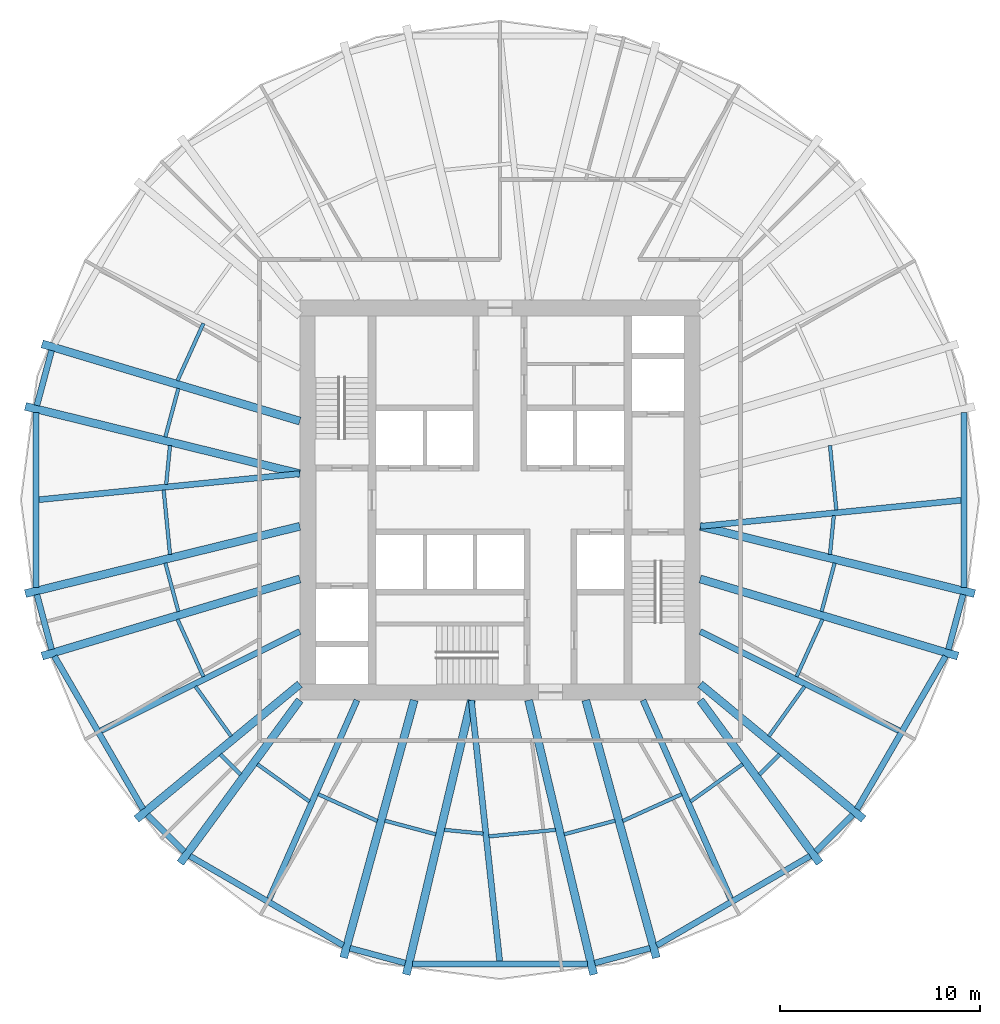
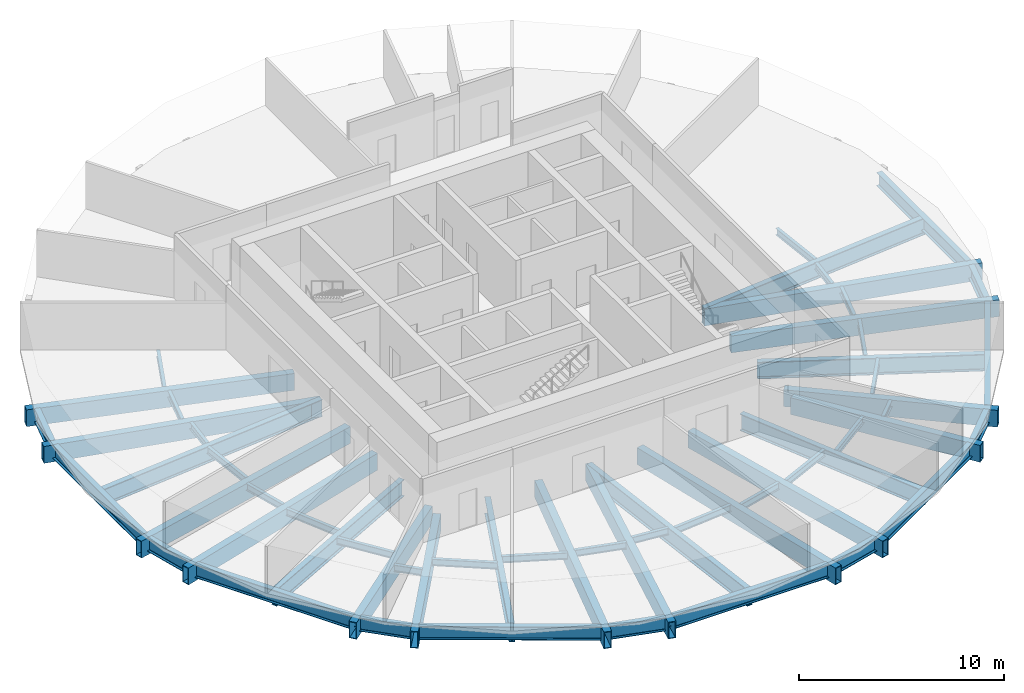
# One storey, part 1 of 6: 57 beams.
"""IFC4 building model written with IfcOpenShell, lengths in metres."""

from ifc_helpers import new_model, si_unit, direction, frame, origin, origin_2d, place, context, subcontext, project, spatial, hollow_rectangle, i_section, extrude, material, material_profile, profile_set, type_object, element, save


model = new_model("IFC4")

# Units and contexts
model_context = context("Model", 3, precision=1e-05, world=origin(), true_north=direction((0.0, 1.0)))
body_context = subcontext(model_context, "Body", "Model", "MODEL_VIEW")
ifc_project = project(units=[si_unit("LENGTHUNIT", "METRE"), si_unit("AREAUNIT", "SQUARE_METRE"), si_unit("VOLUMEUNIT", "CUBIC_METRE"), si_unit("PLANEANGLEUNIT", "RADIAN"), si_unit("MASSUNIT", "GRAM", prefix="KILO")], contexts=[model_context])

# Site, building, storey
site_placement = place(None, origin())
site = spatial("IfcSite", under=ifc_project, at=site_placement, CompositionType="ELEMENT")
building_placement = place(site_placement, origin())
building = spatial("IfcBuilding", under=site, at=building_placement, Name="Golbaran Civic Tower", CompositionType="ELEMENT")
storey_placement = place(building_placement, frame((0.0, 0.0, 73.0)))
storey = spatial("IfcBuildingStorey", under=building, at=storey_placement, Name="L17", CompositionType="ELEMENT", Elevation=73.0)

# Beams
ifc_material = material(Name="Steel S355", Category="steel")
ifc_material_profile_1 = material_profile(ifc_material, i_section(OverallWidth=0.300048828125, OverallDepth=0.800048828125, WebThickness=0.017578125, FlangeThickness=0.032958984375, FilletRadius=0.030029296875, at=origin_2d()), Name="HEB 800")
ifc_profile_set_1 = profile_set([ifc_material_profile_1], Name="Steel S355")
beam_type_1 = type_object("IfcBeamType", Name="EDGE BEAM HEB 800", PredefinedType="BEAM", material=ifc_profile_set_1)
beam_1_placement = place(storey_placement, frame((-22.393798828125, 7.466796875, -0.60009765625), z_axis=(-0.258550025591, -0.965997869701, 0.0), x_axis=(0.965997869701, -0.258550025591, 0.0)))
element("IfcBeam", 1, at=beam_1_placement, inside=storey, type_object=beam_type_1, Name="Edge beam 161.23 L17", PredefinedType="BEAM", context=body_context, shape_type="SweptSolid", body=[
    extrude(i_section(OverallWidth=0.300048828125, OverallDepth=0.800048828125, WebThickness=0.017578125, FlangeThickness=0.032958984375, FilletRadius=0.030029296875, at=origin_2d()), origin(), (0.0, 0.0, 1.0), 2.84228515625),
])
beam_2_placement = place(storey_placement, frame((-23.17529296875, 4.36181640625, -0.60009765625), z_axis=(0.0, -1.0, 0.0), x_axis=(1.0, 0.0, 0.0)))
element("IfcBeam", 2, at=beam_2_placement, inside=storey, type_object=beam_type_1, Name="Edge beam 168.77 L17", PredefinedType="BEAM", context=body_context, shape_type="SweptSolid", body=[
    extrude(i_section(OverallWidth=0.300048828125, OverallDepth=0.800048828125, WebThickness=0.017578125, FlangeThickness=0.032958984375, FilletRadius=0.030029296875, at=origin_2d()), origin(), (0.0, 0.0, 1.0), 8.7236328125),
])
beam_3_placement = place(storey_placement, frame((-23.128662109375, -4.72119140625, -0.60009765625), z_axis=(0.258550025591, -0.965997869701, 0.0), x_axis=(0.965997869701, 0.258550025591, 0.0)))
element("IfcBeam", 3, at=beam_3_placement, inside=storey, type_object=beam_type_1, Name="Edge beam 191.23 L17", PredefinedType="BEAM", context=body_context, shape_type="SweptSolid", body=[
    extrude(i_section(OverallWidth=0.300048828125, OverallDepth=0.800048828125, WebThickness=0.017578125, FlangeThickness=0.032958984375, FilletRadius=0.030029296875, at=origin_2d()), origin(), (0.0, 0.0, 1.0), 2.84228515625),
])
beam_4_placement = place(storey_placement, frame((-22.25439453125, -7.80078125, -0.60009765625), z_axis=(0.501443084431, -0.865190633951, 0.0), x_axis=(0.865190633951, 0.501443084431, 0.0)))
element("IfcBeam", 4, at=beam_4_placement, inside=storey, type_object=beam_type_1, Name="Edge beam 198.77 L17", PredefinedType="BEAM", context=body_context, shape_type="SweptSolid", body=[
    extrude(i_section(OverallWidth=0.300048828125, OverallDepth=0.800048828125, WebThickness=0.017578125, FlangeThickness=0.032958984375, FilletRadius=0.030029296875, at=origin_2d()), origin(), (0.0, 0.0, 1.0), 8.82275390625),
])
beam_5_placement = place(storey_placement, frame((-17.611083984375, -15.719970703125, -0.60009765625), z_axis=(0.706074852539, -0.708137206064, 0.0), x_axis=(0.708137206064, 0.706074852539, 0.0)))
element("IfcBeam", 5, at=beam_5_placement, inside=storey, type_object=beam_type_1, Name="Edge beam 221.23 L17", PredefinedType="BEAM", context=body_context, shape_type="SweptSolid", body=[
    extrude(i_section(OverallWidth=0.300048828125, OverallDepth=0.800048828125, WebThickness=0.017578125, FlangeThickness=0.032958984375, FilletRadius=0.030029296875, at=origin_2d()), origin(), (0.0, 0.0, 1.0), 2.604248046875),
])
beam_6_placement = place(storey_placement, frame((-15.487060546875, -17.784423828125, -0.60009765625), z_axis=(0.864159309075, -0.503218330885, 0.0), x_axis=(0.503218330885, 0.864159309075, 0.0)))
element("IfcBeam", 6, at=beam_6_placement, inside=storey, type_object=beam_type_1, Name="Edge beam 228.77 L17", PredefinedType="BEAM", context=body_context, shape_type="SweptSolid", body=[
    extrude(i_section(OverallWidth=0.300048828125, OverallDepth=0.800048828125, WebThickness=0.017578125, FlangeThickness=0.032958984375, FilletRadius=0.030029296875, at=origin_2d()), origin(), (0.0, 0.0, 1.0), 8.86279296875),
])
beam_7_placement = place(storey_placement, frame((-7.493408203125, -22.384765625, -0.60009765625), z_axis=(0.965774573513, -0.259382869819, 0.0), x_axis=(0.259382869819, 0.965774573513, 0.0)))
element("IfcBeam", 7, at=beam_7_placement, inside=storey, type_object=beam_type_1, Name="Edge beam 251.23 L17", PredefinedType="BEAM", context=body_context, shape_type="SweptSolid", body=[
    extrude(i_section(OverallWidth=0.300048828125, OverallDepth=0.800048828125, WebThickness=0.017578125, FlangeThickness=0.032958984375, FilletRadius=0.030029296875, at=origin_2d()), origin(), (0.0, 0.0, 1.0), 2.861328125),
])
beam_8_placement = place(storey_placement, frame((-4.37109375, -23.173583984375, -0.60009765625), z_axis=(1.0, 0.0, 0.0), x_axis=(0.0, 1.0, 0.0)))
element("IfcBeam", 8, at=beam_8_placement, inside=storey, type_object=beam_type_1, Name="Edge beam 258.77 L17", PredefinedType="BEAM", context=body_context, shape_type="SweptSolid", body=[
    extrude(i_section(OverallWidth=0.300048828125, OverallDepth=0.800048828125, WebThickness=0.017578125, FlangeThickness=0.032958984375, FilletRadius=0.030029296875, at=origin_2d()), origin(), (0.0, 0.0, 1.0), 8.7421875),
])
beam_9_placement = place(storey_placement, frame((4.72998046875, -23.126953125, -0.60009765625), z_axis=(0.965774573513, 0.259382869819, 0.0), x_axis=(-0.259382869819, 0.965774573513, 0.0)))
element("IfcBeam", 9, at=beam_9_placement, inside=storey, type_object=beam_type_1, Name="Edge beam 281.23 L17", PredefinedType="BEAM", context=body_context, shape_type="SweptSolid", body=[
    extrude(i_section(OverallWidth=0.300048828125, OverallDepth=0.800048828125, WebThickness=0.017578125, FlangeThickness=0.032958984375, FilletRadius=0.030029296875, at=origin_2d()), origin(), (0.0, 0.0, 1.0), 2.861328125),
])
beam_10_placement = place(storey_placement, frame((7.828125, -22.244384765625, -0.60009765625), z_axis=(0.864159309075, 0.503218330885, 0.0), x_axis=(-0.503218330885, 0.864159309075, 0.0)))
element("IfcBeam", 10, at=beam_10_placement, inside=storey, type_object=beam_type_1, Name="Edge beam 288.77 L17", PredefinedType="BEAM", context=body_context, shape_type="SweptSolid", body=[
    extrude(i_section(OverallWidth=0.300048828125, OverallDepth=0.800048828125, WebThickness=0.017578125, FlangeThickness=0.032958984375, FilletRadius=0.030029296875, at=origin_2d()), origin(), (0.0, 0.0, 1.0), 8.86279296875),
])
beam_11_placement = place(storey_placement, frame((15.772216796875, -17.564208984375, -0.60009765625), z_axis=(0.706074852539, 0.708137206064, 0.0), x_axis=(-0.708137206064, 0.706074852539, 0.0)))
element("IfcBeam", 11, at=beam_11_placement, inside=storey, type_object=beam_type_1, Name="Edge beam 311.23 L17", PredefinedType="BEAM", context=body_context, shape_type="SweptSolid", body=[
    extrude(i_section(OverallWidth=0.300048828125, OverallDepth=0.800048828125, WebThickness=0.017578125, FlangeThickness=0.032958984375, FilletRadius=0.030029296875, at=origin_2d()), origin(), (0.0, 0.0, 1.0), 2.604248046875),
])
beam_12_placement = place(storey_placement, frame((17.830322265625, -15.43408203125, -0.60009765625), z_axis=(0.501443084431, 0.865190633951, 0.0), x_axis=(-0.865190633951, 0.501443084431, 0.0)))
element("IfcBeam", 12, at=beam_12_placement, inside=storey, type_object=beam_type_1, Name="Edge beam 318.77 L17", PredefinedType="BEAM", context=body_context, shape_type="SweptSolid", body=[
    extrude(i_section(OverallWidth=0.300048828125, OverallDepth=0.800048828125, WebThickness=0.017578125, FlangeThickness=0.032958984375, FilletRadius=0.030029296875, at=origin_2d()), origin(), (0.0, 0.0, 1.0), 8.82275390625),
])
beam_13_placement = place(storey_placement, frame((22.393798828125, -7.466796875, -0.60009765625), z_axis=(0.258550025591, 0.965997869701, 0.0), x_axis=(-0.965997869701, 0.258550025591, 0.0)))
element("IfcBeam", 13, at=beam_13_placement, inside=storey, type_object=beam_type_1, Name="Edge beam 341.23 L17", PredefinedType="BEAM", context=body_context, shape_type="SweptSolid", body=[
    extrude(i_section(OverallWidth=0.300048828125, OverallDepth=0.800048828125, WebThickness=0.017578125, FlangeThickness=0.032958984375, FilletRadius=0.030029296875, at=origin_2d()), origin(), (0.0, 0.0, 1.0), 2.84228515625),
])
beam_14_placement = place(storey_placement, frame((23.17529296875, -4.36181640625, -0.60009765625), z_axis=(0.0, 1.0, 0.0), x_axis=(-1.0, 0.0, 0.0)))
element("IfcBeam", 14, at=beam_14_placement, inside=storey, type_object=beam_type_1, Name="Edge beam 348.77 L17", PredefinedType="BEAM", context=body_context, shape_type="SweptSolid", body=[
    extrude(i_section(OverallWidth=0.300048828125, OverallDepth=0.800048828125, WebThickness=0.017578125, FlangeThickness=0.032958984375, FilletRadius=0.030029296875, at=origin_2d()), origin(), (0.0, 0.0, 1.0), 8.7236328125),
])
ifc_material_profile_2 = material_profile(ifc_material, i_section(OverallWidth=0.179931640625, OverallDepth=0.39990234375, WebThickness=0.008544921875, FlangeThickness=0.013427734375, FilletRadius=0.02099609375, at=origin_2d()), Name="IPE 400")
ifc_profile_set_2 = profile_set([ifc_material_profile_2], Name="Steel S355")
beam_type_2 = type_object("IfcBeamType", Name="FLOOR INFILL BEAM IPE 400", PredefinedType="BEAM", material=ifc_profile_set_2)
beam_15_placement = place(storey_placement, frame((16.797607421875, -0.505615234375, -0.39990234375), z_axis=(-0.09779529892, 0.995206551179, 0.0), x_axis=(-0.995206551179, -0.09779529892, 0.0)))
element("IfcBeam", 15, at=beam_15_placement, inside=storey, type_object=beam_type_2, Name="Infill beam 5.62 L17", PredefinedType="BEAM", context=body_context, shape_type="SweptSolid", body=[
    extrude(i_section(OverallWidth=0.179931640625, OverallDepth=0.39990234375, WebThickness=0.008544921875, FlangeThickness=0.013427734375, FilletRadius=0.02099609375, at=origin_2d()), origin(), (0.0, 0.0, 1.0), 3.240478515625),
])
beam_16_placement = place(storey_placement, frame((-14.809326171875, 8.821533203125, -0.39990234375), z_axis=(-0.412889513332, -0.910781120676, 0.0), x_axis=(0.910781120676, -0.412889513332, 0.0)))
element("IfcBeam", 16, at=beam_16_placement, inside=storey, type_object=beam_type_2, Name="Infill beam 155.62 L17", PredefinedType="BEAM", context=body_context, shape_type="SweptSolid", body=[
    extrude(i_section(OverallWidth=0.179931640625, OverallDepth=0.39990234375, WebThickness=0.008544921875, FlangeThickness=0.013427734375, FilletRadius=0.02099609375, at=origin_2d()), origin(), (0.0, 0.0, 1.0), 3.14208984375),
])
beam_17_placement = place(storey_placement, frame((-16.063232421875, 5.57080078125, -0.39990234375), z_axis=(-0.258867374445, -0.965912875185, 0.0), x_axis=(0.965912875185, -0.258867374445, 0.0)))
element("IfcBeam", 17, at=beam_17_placement, inside=storey, type_object=beam_type_2, Name="Infill beam 165.00 L17", PredefinedType="BEAM", context=body_context, shape_type="SweptSolid", body=[
    extrude(i_section(OverallWidth=0.179931640625, OverallDepth=0.39990234375, WebThickness=0.008544921875, FlangeThickness=0.013427734375, FilletRadius=0.02099609375, at=origin_2d()), origin(), (0.0, 0.0, 1.0), 2.509521484375),
])
beam_18_placement = place(storey_placement, frame((-16.480712890625, 2.71923828125, -0.39990234375), z_axis=(-0.097829289786, -0.995203210435, 0.0), x_axis=(0.995203210435, -0.097829289786, 0.0)))
element("IfcBeam", 18, at=beam_18_placement, inside=storey, type_object=beam_type_2, Name="Infill beam 174.38 L17", PredefinedType="BEAM", context=body_context, shape_type="SweptSolid", body=[
    extrude(i_section(OverallWidth=0.179931640625, OverallDepth=0.39990234375, WebThickness=0.008544921875, FlangeThickness=0.013427734375, FilletRadius=0.02099609375, at=origin_2d()), origin(), (0.0, 0.0, 1.0), 1.948974609375),
])
beam_19_placement = place(storey_placement, frame((-16.797607421875, 0.505615234375, -0.39990234375), z_axis=(0.09779529892, -0.995206551179, 0.0), x_axis=(0.995206551179, 0.09779529892, 0.0)))
element("IfcBeam", 19, at=beam_19_placement, inside=storey, type_object=beam_type_2, Name="Infill beam 185.62 L17", PredefinedType="BEAM", context=body_context, shape_type="SweptSolid", body=[
    extrude(i_section(OverallWidth=0.179931640625, OverallDepth=0.39990234375, WebThickness=0.008544921875, FlangeThickness=0.013427734375, FilletRadius=0.02099609375, at=origin_2d()), origin(), (0.0, 0.0, 1.0), 3.240478515625),
])
beam_20_placement = place(storey_placement, frame((-16.712890625, -3.146728515625, -0.39990234375), z_axis=(0.258867374445, -0.965912875185, 0.0), x_axis=(0.965912875185, 0.258867374445, 0.0)))
element("IfcBeam", 20, at=beam_20_placement, inside=storey, type_object=beam_type_2, Name="Infill beam 195.00 L17", PredefinedType="BEAM", context=body_context, shape_type="SweptSolid", body=[
    extrude(i_section(OverallWidth=0.179931640625, OverallDepth=0.39990234375, WebThickness=0.008544921875, FlangeThickness=0.013427734375, FilletRadius=0.02099609375, at=origin_2d()), origin(), (0.0, 0.0, 1.0), 2.509521484375),
])
beam_21_placement = place(storey_placement, frame((-16.106689453125, -5.959716796875, -0.39990234375), z_axis=(0.412889513332, -0.910781120676, 0.0), x_axis=(0.910781120676, 0.412889513332, 0.0)))
element("IfcBeam", 21, at=beam_21_placement, inside=storey, type_object=beam_type_2, Name="Infill beam 204.38 L17", PredefinedType="BEAM", context=body_context, shape_type="SweptSolid", body=[
    extrude(i_section(OverallWidth=0.179931640625, OverallDepth=0.39990234375, WebThickness=0.008544921875, FlangeThickness=0.013427734375, FilletRadius=0.02099609375, at=origin_2d()), origin(), (0.0, 0.0, 1.0), 3.14208984375),
])
beam_22_placement = place(storey_placement, frame((-15.2099609375, -9.3115234375, -0.39990234375), z_axis=(0.582362506599, -0.812929216419, 0.0), x_axis=(0.812929216419, 0.582362506599, 0.0)))
element("IfcBeam", 22, at=beam_22_placement, inside=storey, type_object=beam_type_2, Name="Infill beam 215.62 L17", PredefinedType="BEAM", context=body_context, shape_type="SweptSolid", body=[
    extrude(i_section(OverallWidth=0.179931640625, OverallDepth=0.39990234375, WebThickness=0.008544921875, FlangeThickness=0.013427734375, FilletRadius=0.02099609375, at=origin_2d()), origin(), (0.0, 0.0, 1.0), 3.05908203125),
])
beam_23_placement = place(storey_placement, frame((-13.96142578125, -12.70556640625, -0.39990234375), z_axis=(0.707106781187, -0.707106781187, 0.0), x_axis=(0.707106781187, 0.707106781187, 0.0)))
element("IfcBeam", 23, at=beam_23_placement, inside=storey, type_object=beam_type_2, Name="Infill beam 225.00 L17", PredefinedType="BEAM", context=body_context, shape_type="SweptSolid", body=[
    extrude(i_section(OverallWidth=0.179931640625, OverallDepth=0.39990234375, WebThickness=0.008544921875, FlangeThickness=0.013427734375, FilletRadius=0.02099609375, at=origin_2d()), origin(), (0.0, 0.0, 1.0), 1.430419921875),
])
beam_24_placement = place(storey_placement, frame((-12.119384765625, -13.193359375, -0.39990234375), z_axis=(0.812939263745, -0.58234848112, 0.0), x_axis=(0.58234848112, 0.812939263745, 0.0)))
element("IfcBeam", 24, at=beam_24_placement, inside=storey, type_object=beam_type_2, Name="Infill beam 234.38 L17", PredefinedType="BEAM", context=body_context, shape_type="SweptSolid", body=[
    extrude(i_section(OverallWidth=0.179931640625, OverallDepth=0.39990234375, WebThickness=0.008544921875, FlangeThickness=0.013427734375, FilletRadius=0.02099609375, at=origin_2d()), origin(), (0.0, 0.0, 1.0), 3.20166015625),
])
beam_25_placement = place(storey_placement, frame((-9.07275390625, -14.696044921875, -0.39990234375), z_axis=(0.910800057052, -0.412847739578, 0.0), x_axis=(0.412847739578, 0.910800057052, 0.0)))
element("IfcBeam", 25, at=beam_25_placement, inside=storey, type_object=beam_type_2, Name="Infill beam 245.62 L17", PredefinedType="BEAM", context=body_context, shape_type="SweptSolid", body=[
    extrude(i_section(OverallWidth=0.179931640625, OverallDepth=0.39990234375, WebThickness=0.008544921875, FlangeThickness=0.013427734375, FilletRadius=0.02099609375, at=origin_2d()), origin(), (0.0, 0.0, 1.0), 3.23583984375),
])
beam_26_placement = place(storey_placement, frame((-5.747802734375, -16.015625, -0.39990234375), z_axis=(0.965932743804, -0.258793227205, 0.0), x_axis=(0.258793227205, 0.965932743804, 0.0)))
element("IfcBeam", 26, at=beam_26_placement, inside=storey, type_object=beam_type_2, Name="Infill beam 255.00 L17", PredefinedType="BEAM", context=body_context, shape_type="SweptSolid", body=[
    extrude(i_section(OverallWidth=0.179931640625, OverallDepth=0.39990234375, WebThickness=0.008544921875, FlangeThickness=0.013427734375, FilletRadius=0.02099609375, at=origin_2d()), origin(), (0.0, 0.0, 1.0), 2.634033203125),
])
beam_27_placement = place(storey_placement, frame((-2.780517578125, -16.473876953125, -0.39990234375), z_axis=(0.995211374108, -0.097746206299, 0.0), x_axis=(0.097746206299, 0.995211374108, 0.0)))
element("IfcBeam", 27, at=beam_27_placement, inside=storey, type_object=beam_type_2, Name="Infill beam 264.38 L17", PredefinedType="BEAM", context=body_context, shape_type="SweptSolid", body=[
    extrude(i_section(OverallWidth=0.179931640625, OverallDepth=0.39990234375, WebThickness=0.008544921875, FlangeThickness=0.013427734375, FilletRadius=0.02099609375, at=origin_2d()), origin(), (0.0, 0.0, 1.0), 1.953125),
])
beam_28_placement = place(storey_placement, frame((-0.56005859375, -16.80224609375, -0.39990234375), z_axis=(0.99520356516, 0.097825681147, 0.0), x_axis=(-0.097825681147, 0.99520356516, 0.0)))
element("IfcBeam", 28, at=beam_28_placement, inside=storey, type_object=beam_type_2, Name="Infill beam 275.62 L17", PredefinedType="BEAM", context=body_context, shape_type="SweptSolid", body=[
    extrude(i_section(OverallWidth=0.179931640625, OverallDepth=0.39990234375, WebThickness=0.008544921875, FlangeThickness=0.013427734375, FilletRadius=0.02099609375, at=origin_2d()), origin(), (0.0, 0.0, 1.0), 3.356689453125),
])
beam_29_placement = place(storey_placement, frame((3.20361328125, -16.697265625, -0.39990234375), z_axis=(0.965932743804, 0.258793227205, 0.0), x_axis=(-0.258793227205, 0.965932743804, 0.0)))
element("IfcBeam", 29, at=beam_29_placement, inside=storey, type_object=beam_type_2, Name="Infill beam 285.00 L17", PredefinedType="BEAM", context=body_context, shape_type="SweptSolid", body=[
    extrude(i_section(OverallWidth=0.179931640625, OverallDepth=0.39990234375, WebThickness=0.008544921875, FlangeThickness=0.013427734375, FilletRadius=0.02099609375, at=origin_2d()), origin(), (0.0, 0.0, 1.0), 2.634033203125),
])
beam_30_placement = place(storey_placement, frame((6.12548828125, -16.031982421875, -0.39990234375), z_axis=(0.910800057052, 0.412847739578, 0.0), x_axis=(-0.412847739578, 0.910800057052, 0.0)))
element("IfcBeam", 30, at=beam_30_placement, inside=storey, type_object=beam_type_2, Name="Infill beam 294.38 L17", PredefinedType="BEAM", context=body_context, shape_type="SweptSolid", body=[
    extrude(i_section(OverallWidth=0.179931640625, OverallDepth=0.39990234375, WebThickness=0.008544921875, FlangeThickness=0.013427734375, FilletRadius=0.02099609375, at=origin_2d()), origin(), (0.0, 0.0, 1.0), 3.23583984375),
])
beam_31_placement = place(storey_placement, frame((9.5166015625, -15.057861328125, -0.39990234375), z_axis=(0.812939263745, 0.58234848112, 0.0), x_axis=(-0.58234848112, 0.812939263745, 0.0)))
element("IfcBeam", 31, at=beam_31_placement, inside=storey, type_object=beam_type_2, Name="Infill beam 305.62 L17", PredefinedType="BEAM", context=body_context, shape_type="SweptSolid", body=[
    extrude(i_section(OverallWidth=0.179931640625, OverallDepth=0.39990234375, WebThickness=0.008544921875, FlangeThickness=0.013427734375, FilletRadius=0.02099609375, at=origin_2d()), origin(), (0.0, 0.0, 1.0), 3.20166015625),
])
beam_32_placement = place(storey_placement, frame((12.949951171875, -13.717041015625, -0.39990234375), z_axis=(0.707106781187, 0.707106781187, 0.0), x_axis=(-0.707106781187, 0.707106781187, 0.0)))
element("IfcBeam", 32, at=beam_32_placement, inside=storey, type_object=beam_type_2, Name="Infill beam 315.00 L17", PredefinedType="BEAM", context=body_context, shape_type="SweptSolid", body=[
    extrude(i_section(OverallWidth=0.179931640625, OverallDepth=0.39990234375, WebThickness=0.008544921875, FlangeThickness=0.013427734375, FilletRadius=0.02099609375, at=origin_2d()), origin(), (0.0, 0.0, 1.0), 1.430419921875),
])
beam_33_placement = place(storey_placement, frame((13.428466796875, -11.79833984375, -0.39990234375), z_axis=(0.582362506599, 0.812929216419, 0.0), x_axis=(-0.812929216419, 0.582362506599, 0.0)))
element("IfcBeam", 33, at=beam_33_placement, inside=storey, type_object=beam_type_2, Name="Infill beam 324.38 L17", PredefinedType="BEAM", context=body_context, shape_type="SweptSolid", body=[
    extrude(i_section(OverallWidth=0.179931640625, OverallDepth=0.39990234375, WebThickness=0.008544921875, FlangeThickness=0.013427734375, FilletRadius=0.02099609375, at=origin_2d()), origin(), (0.0, 0.0, 1.0), 3.05908203125),
])
beam_34_placement = place(storey_placement, frame((14.809326171875, -8.821533203125, -0.39990234375), z_axis=(0.412889513332, 0.910781120676, 0.0), x_axis=(-0.910781120676, 0.412889513332, 0.0)))
element("IfcBeam", 34, at=beam_34_placement, inside=storey, type_object=beam_type_2, Name="Infill beam 335.62 L17", PredefinedType="BEAM", context=body_context, shape_type="SweptSolid", body=[
    extrude(i_section(OverallWidth=0.179931640625, OverallDepth=0.39990234375, WebThickness=0.008544921875, FlangeThickness=0.013427734375, FilletRadius=0.02099609375, at=origin_2d()), origin(), (0.0, 0.0, 1.0), 3.14208984375),
])
beam_35_placement = place(storey_placement, frame((16.063232421875, -5.57080078125, -0.39990234375), z_axis=(0.258867374445, 0.965912875185, 0.0), x_axis=(-0.965912875185, 0.258867374445, 0.0)))
element("IfcBeam", 35, at=beam_35_placement, inside=storey, type_object=beam_type_2, Name="Infill beam 345.00 L17", PredefinedType="BEAM", context=body_context, shape_type="SweptSolid", body=[
    extrude(i_section(OverallWidth=0.179931640625, OverallDepth=0.39990234375, WebThickness=0.008544921875, FlangeThickness=0.013427734375, FilletRadius=0.02099609375, at=origin_2d()), origin(), (0.0, 0.0, 1.0), 2.509521484375),
])
beam_36_placement = place(storey_placement, frame((16.480712890625, -2.71923828125, -0.39990234375), z_axis=(0.097829289786, 0.995203210435, 0.0), x_axis=(-0.995203210435, 0.097829289786, 0.0)))
element("IfcBeam", 36, at=beam_36_placement, inside=storey, type_object=beam_type_2, Name="Infill beam 354.38 L17", PredefinedType="BEAM", context=body_context, shape_type="SweptSolid", body=[
    extrude(i_section(OverallWidth=0.179931640625, OverallDepth=0.39990234375, WebThickness=0.008544921875, FlangeThickness=0.013427734375, FilletRadius=0.02099609375, at=origin_2d()), origin(), (0.0, 0.0, 1.0), 1.948974609375),
])
ifc_material_profile_3 = material_profile(ifc_material, hollow_rectangle(XDim=0.39990234375, YDim=1.0, WallThickness=0.0400390625, at=origin_2d()), Name="BOX 1000x400x40")
ifc_profile_set_3 = profile_set([ifc_material_profile_3], Name="Steel S355")
beam_type_3 = type_object("IfcBeamType", Name="RADIAL FLOOR BEAM BOX 1000x400x40", PredefinedType="BEAM", material=ifc_profile_set_3)
beam_37_placement = place(storey_placement, frame((-10.0, 3.94287109375, -0.7099609375), z_axis=(-0.957960753639, 0.286899275856, 0.0), x_axis=(-0.286899275856, -0.957960753639, 0.0)))
element("IfcBeam", 37, at=beam_37_placement, inside=storey, type_object=beam_type_3, Name="Radial beam 161.23 L17", PredefinedType="BEAM", context=body_context, shape_type="SweptSolid", body=[
    extrude(hollow_rectangle(XDim=0.39990234375, YDim=1.0, WallThickness=0.0400390625, at=origin_2d()), origin(), (0.0, 0.0, 1.0), 13.431640625),
])
for number, where, z_axis, x_axis, name in (
    (38, (-10.0, 1.314208984375, -0.7099609375), (-0.971188858379, 0.238311144011, 0.0), (-0.238311144011, -0.971188858379, 0.0), "Radial beam 168.77 L17"),
    (39, (-10.0, -1.314208984375, -0.7099609375), (-0.971188858379, -0.238311144011, 0.0), (0.238311144011, -0.971188858379, 0.0), "Radial beam 191.23 L17"),
):
    element("IfcBeam", number, at=place(storey_placement, frame(where, z_axis=z_axis, x_axis=x_axis)), inside=storey, type_object=beam_type_3, Name=name, PredefinedType="BEAM", context=body_context, shape_type="SweptSolid", body=[
        extrude(hollow_rectangle(XDim=0.39990234375, YDim=1.0, WallThickness=0.0400390625, at=origin_2d()), origin(), (0.0, 0.0, 1.0), 14.10888671875),
    ])
beam_38_placement = place(storey_placement, frame((-10.0, -3.94287109375, -0.7099609375), z_axis=(-0.957960753639, -0.286899275856, 0.0), x_axis=(0.286899275856, -0.957960753639, 0.0)))
element("IfcBeam", 40, at=beam_38_placement, inside=storey, type_object=beam_type_3, Name="Radial beam 198.77 L17", PredefinedType="BEAM", context=body_context, shape_type="SweptSolid", body=[
    extrude(hollow_rectangle(XDim=0.39990234375, YDim=1.0, WallThickness=0.0400390625, at=origin_2d()), origin(), (0.0, 0.0, 1.0), 13.431640625),
])
beam_39_placement = place(storey_placement, frame((-10.0, -9.199951171875, -0.7099609375), z_axis=(-0.771007562736, -0.636825987382, 0.0), x_axis=(0.636825987382, -0.771007562736, 0.0)))
element("IfcBeam", 41, at=beam_39_placement, inside=storey, type_object=beam_type_3, Name="Radial beam 221.23 L17", PredefinedType="BEAM", context=body_context, shape_type="SweptSolid", body=[
    extrude(hollow_rectangle(XDim=0.39990234375, YDim=1.0, WallThickness=0.0400390625, at=origin_2d()), origin(), (0.0, 0.0, 1.0), 10.580322265625),
])
beam_40_placement = place(storey_placement, frame((-10.0, -10.0, -0.7099609375), z_axis=(-0.591485373964, -0.806315727483, 0.0), x_axis=(0.806315727483, -0.591485373964, 0.0)))
element("IfcBeam", 42, at=beam_40_placement, inside=storey, type_object=beam_type_3, Name="Radial beam 228.77 L17", PredefinedType="BEAM", context=body_context, shape_type="SweptSolid", body=[
    extrude(hollow_rectangle(XDim=0.39990234375, YDim=1.0, WallThickness=0.0400390625, at=origin_2d()), origin(), (0.0, 0.0, 1.0), 10.0869140625),
])
beam_41_placement = place(storey_placement, frame((-4.28564453125, -10.0, -0.7099609375), z_axis=(-0.264330085514, -0.964432271283, 0.0), x_axis=(0.964432271283, -0.264330085514, 0.0)))
element("IfcBeam", 43, at=beam_41_placement, inside=storey, type_object=beam_type_3, Name="Radial beam 251.23 L17", PredefinedType="BEAM", context=body_context, shape_type="SweptSolid", body=[
    extrude(hollow_rectangle(XDim=0.39990234375, YDim=1.0, WallThickness=0.0400390625, at=origin_2d()), origin(), (0.0, 0.0, 1.0), 13.336181640625),
])
for number, where, z_axis, x_axis, name in (
    (44, (-1.428466796875, -10.0, -0.7099609375), (-0.23099078638, -0.972955937649, 0.0), (0.972955937649, -0.23099078638, 0.0), "Radial beam 258.77 L17"),
    (45, (1.428466796875, -10.0, -0.7099609375), (0.23099078638, -0.972955937649, 0.0), (0.972955937649, 0.23099078638, 0.0), "Radial beam 281.23 L17"),
):
    element("IfcBeam", number, at=place(storey_placement, frame(where, z_axis=z_axis, x_axis=x_axis)), inside=storey, type_object=beam_type_3, Name=name, PredefinedType="BEAM", context=body_context, shape_type="SweptSolid", body=[
        extrude(hollow_rectangle(XDim=0.39990234375, YDim=1.0, WallThickness=0.0400390625, at=origin_2d()), origin(), (0.0, 0.0, 1.0), 14.08251953125),
    ])
beam_42_placement = place(storey_placement, frame((4.28564453125, -10.0, -0.7099609375), z_axis=(0.264330085514, -0.964432271283, 0.0), x_axis=(0.964432271283, 0.264330085514, 0.0)))
element("IfcBeam", 46, at=beam_42_placement, inside=storey, type_object=beam_type_3, Name="Radial beam 288.77 L17", PredefinedType="BEAM", context=body_context, shape_type="SweptSolid", body=[
    extrude(hollow_rectangle(XDim=0.39990234375, YDim=1.0, WallThickness=0.0400390625, at=origin_2d()), origin(), (0.0, 0.0, 1.0), 13.336181640625),
])
beam_43_placement = place(storey_placement, frame((10.0, -10.0, -0.7099609375), z_axis=(0.591485373964, -0.806315727483, 0.0), x_axis=(0.806315727483, 0.591485373964, 0.0)))
element("IfcBeam", 47, at=beam_43_placement, inside=storey, type_object=beam_type_3, Name="Radial beam 311.23 L17", PredefinedType="BEAM", context=body_context, shape_type="SweptSolid", body=[
    extrude(hollow_rectangle(XDim=0.39990234375, YDim=1.0, WallThickness=0.0400390625, at=origin_2d()), origin(), (0.0, 0.0, 1.0), 10.0869140625),
])
beam_44_placement = place(storey_placement, frame((10.0, -9.199951171875, -0.7099609375), z_axis=(0.771007562736, -0.636825987382, 0.0), x_axis=(0.636825987382, 0.771007562736, 0.0)))
element("IfcBeam", 48, at=beam_44_placement, inside=storey, type_object=beam_type_3, Name="Radial beam 318.77 L17", PredefinedType="BEAM", context=body_context, shape_type="SweptSolid", body=[
    extrude(hollow_rectangle(XDim=0.39990234375, YDim=1.0, WallThickness=0.0400390625, at=origin_2d()), origin(), (0.0, 0.0, 1.0), 10.580322265625),
])
beam_45_placement = place(storey_placement, frame((10.0, -3.94287109375, -0.7099609375), z_axis=(0.957960753639, -0.286899275856, 0.0), x_axis=(0.286899275856, 0.957960753639, 0.0)))
element("IfcBeam", 49, at=beam_45_placement, inside=storey, type_object=beam_type_3, Name="Radial beam 341.23 L17", PredefinedType="BEAM", context=body_context, shape_type="SweptSolid", body=[
    extrude(hollow_rectangle(XDim=0.39990234375, YDim=1.0, WallThickness=0.0400390625, at=origin_2d()), origin(), (0.0, 0.0, 1.0), 13.431640625),
])
beam_46_placement = place(storey_placement, frame((10.0, -1.314208984375, -0.7099609375), z_axis=(0.971188858379, -0.238311144011, 0.0), x_axis=(0.238311144011, 0.971188858379, 0.0)))
element("IfcBeam", 50, at=beam_46_placement, inside=storey, type_object=beam_type_3, Name="Radial beam 348.77 L17", PredefinedType="BEAM", context=body_context, shape_type="SweptSolid", body=[
    extrude(hollow_rectangle(XDim=0.39990234375, YDim=1.0, WallThickness=0.0400390625, at=origin_2d()), origin(), (0.0, 0.0, 1.0), 14.10888671875),
])
ifc_material_profile_4 = material_profile(ifc_material, i_section(OverallWidth=0.300048828125, OverallDepth=1.0, WebThickness=0.01904296875, FlangeThickness=0.035888671875, FilletRadius=0.030029296875, at=origin_2d()), Name="HEB 1000")
ifc_profile_set_4 = profile_set([ifc_material_profile_4], Name="Steel S355")
beam_type_4 = type_object("IfcBeamType", Name="SECONDARY FLOOR BEAM HEB 1000", PredefinedType="BEAM", material=ifc_profile_set_4)
for number, where, z_axis, x_axis, name in (
    (51, (10.0, -1.314208984375, -0.7099609375), (0.99506198756, 0.099255432662, 0.0), (-0.099255432662, 0.99506198756, 0.0), "Secondary beam 0.00 L17"),
    (52, (-10.0, 1.314208984375, -0.7099609375), (-0.99506198756, -0.099255432662, 0.0), (0.099255432662, -0.99506198756, 0.0), "Secondary beam 180.00 L17"),
):
    element("IfcBeam", number, at=place(storey_placement, frame(where, z_axis=z_axis, x_axis=x_axis)), inside=storey, type_object=beam_type_4, Name=name, PredefinedType="BEAM", context=body_context, shape_type="SweptSolid", body=[
        extrude(i_section(OverallWidth=0.300048828125, OverallDepth=1.0, WebThickness=0.01904296875, FlangeThickness=0.035888671875, FilletRadius=0.030029296875, at=origin_2d()), origin(), (0.0, 0.0, 1.0), 13.24072265625),
    ])
beam_47_placement = place(storey_placement, frame((-10.0, -6.571533203125, -0.7099609375), z_axis=(-0.895125431121, -0.445814381284, 0.0), x_axis=(0.445814381284, -0.895125431121, 0.0)))
element("IfcBeam", 53, at=beam_47_placement, inside=storey, type_object=beam_type_4, Name="Secondary beam 210.00 L17", PredefinedType="BEAM", context=body_context, shape_type="SweptSolid", body=[
    extrude(i_section(OverallWidth=0.300048828125, OverallDepth=1.0, WebThickness=0.01904296875, FlangeThickness=0.035888671875, FilletRadius=0.030029296875, at=origin_2d()), origin(), (0.0, 0.0, 1.0), 11.2412109375),
])
beam_48_placement = place(storey_placement, frame((-7.142822265625, -10.0, -0.7099609375), z_axis=(-0.403679022124, -0.914900676083, 0.0), x_axis=(0.914900676083, -0.403679022124, 0.0)))
element("IfcBeam", 54, at=beam_48_placement, inside=storey, type_object=beam_type_4, Name="Secondary beam 240.00 L17", PredefinedType="BEAM", context=body_context, shape_type="SweptSolid", body=[
    extrude(i_section(OverallWidth=0.300048828125, OverallDepth=1.0, WebThickness=0.01904296875, FlangeThickness=0.035888671875, FilletRadius=0.030029296875, at=origin_2d()), origin(), (0.0, 0.0, 1.0), 10.994384765625),
])
beam_49_placement = place(storey_placement, frame((-1.428466796875, -10.0, -0.7099609375), z_axis=(0.107802265597, -0.994172355043, 0.0), x_axis=(0.994172355043, 0.107802265597, 0.0)))
element("IfcBeam", 55, at=beam_49_placement, inside=storey, type_object=beam_type_4, Name="Secondary beam 270.00 L17", PredefinedType="BEAM", context=body_context, shape_type="SweptSolid", body=[
    extrude(i_section(OverallWidth=0.300048828125, OverallDepth=1.0, WebThickness=0.01904296875, FlangeThickness=0.035888671875, FilletRadius=0.030029296875, at=origin_2d()), origin(), (0.0, 0.0, 1.0), 13.250732421875),
])
beam_50_placement = place(storey_placement, frame((7.142822265625, -10.0, -0.7099609375), z_axis=(0.403679022124, -0.914900676083, 0.0), x_axis=(0.914900676083, 0.403679022124, 0.0)))
element("IfcBeam", 56, at=beam_50_placement, inside=storey, type_object=beam_type_4, Name="Secondary beam 300.00 L17", PredefinedType="BEAM", context=body_context, shape_type="SweptSolid", body=[
    extrude(i_section(OverallWidth=0.300048828125, OverallDepth=1.0, WebThickness=0.01904296875, FlangeThickness=0.035888671875, FilletRadius=0.030029296875, at=origin_2d()), origin(), (0.0, 0.0, 1.0), 10.994384765625),
])
beam_51_placement = place(storey_placement, frame((10.0, -6.571533203125, -0.7099609375), z_axis=(0.895125431121, -0.445814381284, 0.0), x_axis=(0.445814381284, 0.895125431121, 0.0)))
element("IfcBeam", 57, at=beam_51_placement, inside=storey, type_object=beam_type_4, Name="Secondary beam 330.00 L17", PredefinedType="BEAM", context=body_context, shape_type="SweptSolid", body=[
    extrude(i_section(OverallWidth=0.300048828125, OverallDepth=1.0, WebThickness=0.01904296875, FlangeThickness=0.035888671875, FilletRadius=0.030029296875, at=origin_2d()), origin(), (0.0, 0.0, 1.0), 11.2412109375),
])

save(model, "model.ifc")
